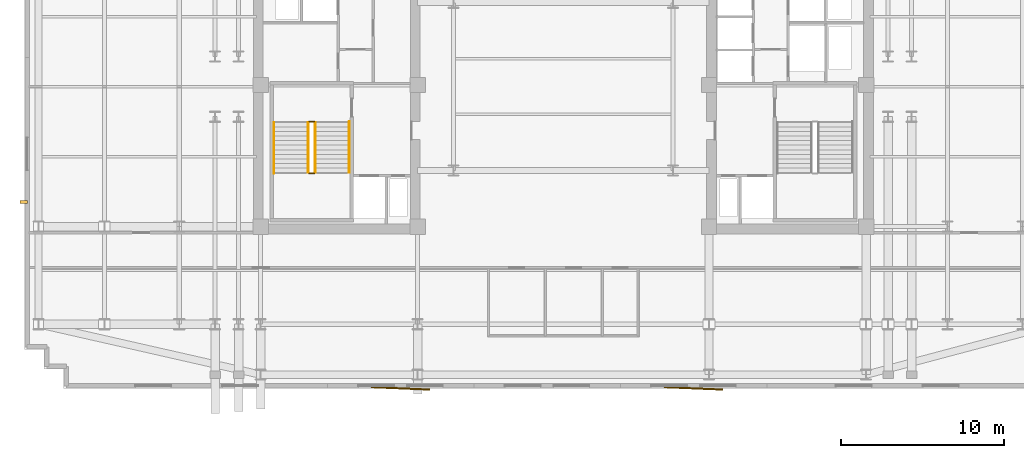
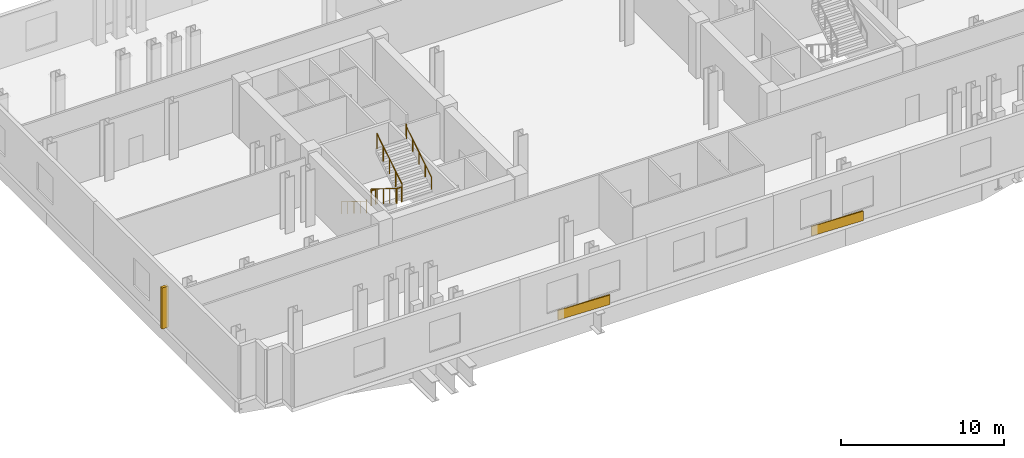
# One storey, part 10 of 14: 6 railings, 2 coverings, 1 shading device.
"""IFC4 building model written with IfcOpenShell, lengths in metres."""

from ifc_helpers import new_model, si_unit, direction, frame, origin, origin_2d, place, context, subcontext, project, spatial, rectangle, circle, extrude, material, layer, layer_set, type_object, element, save


model = new_model("IFC4")

# Units and contexts
model_context = context("Model", 3, precision=1e-05, world=origin(), true_north=direction((0.0, 1.0)))
body_context = subcontext(model_context, "Body", "Model", "MODEL_VIEW")
ifc_project = project(units=[si_unit("LENGTHUNIT", "METRE"), si_unit("AREAUNIT", "SQUARE_METRE"), si_unit("VOLUMEUNIT", "CUBIC_METRE"), si_unit("PLANEANGLEUNIT", "RADIAN"), si_unit("MASSUNIT", "GRAM", prefix="KILO")], contexts=[model_context])

# Site, building, storey
site_placement = place(None, origin())
site = spatial("IfcSite", under=ifc_project, at=site_placement, CompositionType="ELEMENT")
building_placement = place(site_placement, origin())
building = spatial("IfcBuilding", under=site, at=building_placement, Name="Velakula Bourse", CompositionType="ELEMENT")
storey_placement = place(building_placement, frame((0.0, 0.0, 116.64990234375)))
storey = spatial("IfcBuildingStorey", under=building, at=storey_placement, Name="L31", CompositionType="ELEMENT", Elevation=116.64990234375)

# Coverings
ifc_material_1 = material(Name="Red kilned clay facing brick masonry", Category="masonry")
ifc_layer = layer(ifc_material_1, 0.090087890625, Name="Red kilned clay facing brick masonry", Category="masonry")
ifc_layer_set = layer_set([ifc_layer], Name="Red kilned clay facing brick masonry")
covering_type = type_object("IfcCoveringType", Name="COV-BRK-FOLD-90", PredefinedType="CLADDING", material=ifc_layer_set)
for number, where, z_axis, x_axis, name in (
    (1, (-10.0, -18.5400390625, 0.0), (0.0, 0.0, 1.0), (0.999158993058, -0.041003738744, 0.0), "L31 Folded Brick Facade Cladding Panel S-B2"),
    (2, (8.0, -18.5400390625, 0.0), (0.0, 0.0, 1.0), (0.999158993058, -0.041003738744, 0.0), "L31 Folded Brick Facade Cladding Panel S-B4"),
):
    element("IfcCovering", number, at=place(storey_placement, frame(where, z_axis=z_axis, x_axis=x_axis)), inside=storey, type_object=covering_type, Name=name, PredefinedType="CLADDING", context=body_context, shape_type="SweptSolid", body=[
        extrude(rectangle(XDim=3.60009765625, YDim=0.090087890625, at=origin_2d()), origin(), (0.0, 0.0, 1.0), 0.719970703125),
    ])

# Railings
ifc_material_2 = material(Name="Brushed grade 316 stainless steel", Category="steel")
railing_type_1 = type_object("IfcRailingType", Name="RLG-STAIR-GUARD-1150", PredefinedType="BALUSTRADE", material=ifc_material_2)
railing_1_placement = place(storey_placement, frame((-15.672119140625, -2.199951171875, 0.175048828125)))
element("IfcRailing", 3, at=railing_1_placement, inside=storey, type_object=railing_type_1, Name="L31 ST-W1 stair guard 1", PredefinedType="BALUSTRADE", context=body_context, shape_type="SweptSolid", body=[
    extrude(circle(Radius=0.02490234375, at=origin_2d()), frame((0.0, 0.0, 1.125), z_axis=(0.0, -0.847998304005, 0.529998940003), x_axis=(1.0, 0.0, 0.0)), (0.0, 0.0, 1.0), 3.632080078125),
    extrude(circle(Radius=0.02099609375, at=origin_2d()), origin(), (0.0, 0.0, 1.0), 1.099853515625),
    extrude(circle(Radius=0.02099609375, at=origin_2d()), frame((0.0, -0.77001953125, 0.481201171875)), (0.0, 0.0, 1.0), 1.099853515625),
    extrude(circle(Radius=0.02099609375, at=origin_2d()), frame((0.0, -1.5400390625, 0.96240234375)), (0.0, 0.0, 1.0), 1.099853515625),
    extrude(circle(Radius=0.02099609375, at=origin_2d()), frame((0.0, -2.31005859375, 1.44384765625)), (0.0, 0.0, 1.0), 1.099853515625),
    extrude(circle(Radius=0.02099609375, at=origin_2d()), frame((0.0, -3.080078125, 1.925048828125)), (0.0, 0.0, 1.0), 1.099853515625),
])
railing_2_placement = place(storey_placement, frame((-15.6220703125, -5.330078125, 2.10009765625)))
element("IfcRailing", 4, at=railing_2_placement, inside=storey, type_object=railing_type_1, Name="L31 ST-W1 stair guard 2", PredefinedType="BALUSTRADE", context=body_context, shape_type="SweptSolid", body=[
    extrude(circle(Radius=0.02490234375, at=origin_2d()), frame((0.0, 0.0, 1.125), z_axis=(1.0, 0.0, 0.0), x_axis=(0.0, 1.0, 0.0)), (0.0, 0.0, 1.0), 0.323974609375),
    extrude(circle(Radius=0.02099609375, at=origin_2d()), origin(), (0.0, 0.0, 1.0), 1.099853515625),
    extrude(circle(Radius=0.02099609375, at=origin_2d()), frame((0.323974609375, 0.0, 0.0)), (0.0, 0.0, 1.0), 1.099853515625),
])
railing_3_placement = place(storey_placement, frame((-15.248046875, -5.280029296875, 2.275146484375)))
element("IfcRailing", 5, at=railing_3_placement, inside=storey, type_object=railing_type_1, Name="L31 ST-W1 stair guard 3", PredefinedType="BALUSTRADE", context=body_context, shape_type="SweptSolid", body=[
    extrude(circle(Radius=0.02490234375, at=origin_2d()), frame((0.0, 0.0, 1.125), z_axis=(0.0, 0.847998304005, 0.529998940003), x_axis=(-1.0, 0.0, 0.0)), (0.0, 0.0, 1.0), 3.632080078125),
    extrude(circle(Radius=0.02099609375, at=origin_2d()), origin(), (0.0, 0.0, 1.0), 1.099853515625),
    extrude(circle(Radius=0.02099609375, at=origin_2d()), frame((0.0, 0.77001953125, 0.481201171875)), (0.0, 0.0, 1.0), 1.099853515625),
    extrude(circle(Radius=0.02099609375, at=origin_2d()), frame((0.0, 1.5400390625, 0.96240234375)), (0.0, 0.0, 1.0), 1.099853515625),
    extrude(circle(Radius=0.02099609375, at=origin_2d()), frame((0.0, 2.31005859375, 1.44384765625)), (0.0, 0.0, 1.0), 1.099853515625),
    extrude(circle(Radius=0.02099609375, at=origin_2d()), frame((0.0, 3.080078125, 1.925048828125)), (0.0, 0.0, 1.0), 1.099853515625),
])
railing_4_placement = place(storey_placement, frame((-15.6220703125, -2.14990234375, 0.0)))
element("IfcRailing", 6, at=railing_4_placement, inside=storey, type_object=railing_type_1, Name="L31 ST-W1 stair guard 4", PredefinedType="BALUSTRADE", context=body_context, shape_type="SweptSolid", body=[
    extrude(circle(Radius=0.02490234375, at=origin_2d()), frame((0.0, 0.0, 1.125), z_axis=(1.0, 0.0, 0.0), x_axis=(0.0, 1.0, 0.0)), (0.0, 0.0, 1.0), 0.323974609375),
    extrude(circle(Radius=0.02099609375, at=origin_2d()), origin(), (0.0, 0.0, 1.0), 1.099853515625),
    extrude(circle(Radius=0.02099609375, at=origin_2d()), frame((0.323974609375, 0.0, 0.0)), (0.0, 0.0, 1.0), 1.099853515625),
])
railing_type_2 = type_object("IfcRailingType", Name="RLG-STAIR-HAND-920", PredefinedType="HANDRAIL", material=ifc_material_2)
railing_5_placement = place(storey_placement, frame((-17.77001953125, -2.199951171875, 0.175048828125)))
element("IfcRailing", 7, at=railing_5_placement, inside=storey, type_object=railing_type_2, Name="L31 ST-W1 stair handrail 1", PredefinedType="HANDRAIL", context=body_context, shape_type="SweptSolid", body=[
    extrude(circle(Radius=0.02099609375, at=origin_2d()), frame((0.0, 0.0, 0.89892578125), z_axis=(0.0, -0.847998304005, 0.529998940003), x_axis=(1.0, 0.0, 0.0)), (0.0, 0.0, 1.0), 3.632080078125),
    extrude(circle(Radius=0.02099609375, at=origin_2d()), frame((0.0, -3.080078125, 2.823974609375), z_axis=(0.0, -0.222972465624, 0.974824743004), x_axis=(1.0, 0.0, 0.0)), (0.0, 0.0, 1.0), 0.1796875),
    extrude(circle(Radius=0.02099609375, at=origin_2d()), frame((0.0, -3.1201171875, 2.9990234375), z_axis=(0.0, -1.0, 0.0), x_axis=(1.0, 0.0, 0.0)), (0.0, 0.0, 1.0), 0.0048828125),
    extrude(circle(Radius=0.02099609375, at=origin_2d()), origin(), (0.0, 0.0, 1.0), 0.8779296875),
    extrude(circle(Radius=0.02099609375, at=origin_2d()), frame((0.0, -0.77001953125, 0.481201171875)), (0.0, 0.0, 1.0), 0.8779296875),
    extrude(circle(Radius=0.02099609375, at=origin_2d()), frame((0.0, -1.5400390625, 0.96240234375)), (0.0, 0.0, 1.0), 0.8779296875),
    extrude(circle(Radius=0.02099609375, at=origin_2d()), frame((0.0, -2.31005859375, 1.44384765625)), (0.0, 0.0, 1.0), 0.8779296875),
    extrude(circle(Radius=0.02099609375, at=origin_2d()), frame((0.0, -3.080078125, 1.925048828125)), (0.0, 0.0, 1.0), 0.8779296875),
    extrude(circle(Radius=0.02099609375, at=origin_2d()), frame((0.0, -3.1201171875, 2.10009765625)), (0.0, 0.0, 1.0), 0.8779296875),
    extrude(circle(Radius=0.02099609375, at=origin_2d()), frame((0.0, -3.125, 2.10009765625)), (0.0, 0.0, 1.0), 0.8779296875),
])
railing_6_placement = place(storey_placement, frame((-13.14990234375, -5.280029296875, 2.275146484375)))
element("IfcRailing", 8, at=railing_6_placement, inside=storey, type_object=railing_type_2, Name="L31 ST-W1 stair handrail 2", PredefinedType="HANDRAIL", context=body_context, shape_type="SweptSolid", body=[
    extrude(circle(Radius=0.02099609375, at=origin_2d()), frame((0.0, 0.0, 0.89892578125), z_axis=(0.0, 0.847998304005, 0.529998940003), x_axis=(-1.0, 0.0, 0.0)), (0.0, 0.0, 1.0), 3.632080078125),
    extrude(circle(Radius=0.02099609375, at=origin_2d()), frame((0.0, 3.080078125, 2.823974609375), z_axis=(0.0, 0.223268366363, 0.974757014123), x_axis=(-1.0, 0.0, 0.0)), (0.0, 0.0, 1.0), 0.179443359375),
    extrude(circle(Radius=0.02099609375, at=origin_2d()), frame((0.0, 3.1201171875, 2.998779296875), z_axis=(0.0, 1.0, 0.0), x_axis=(-1.0, 0.0, 0.0)), (0.0, 0.0, 1.0), 0.0048828125),
    extrude(circle(Radius=0.02099609375, at=origin_2d()), origin(), (0.0, 0.0, 1.0), 0.8779296875),
    extrude(circle(Radius=0.02099609375, at=origin_2d()), frame((0.0, 0.77001953125, 0.481201171875)), (0.0, 0.0, 1.0), 0.8779296875),
    extrude(circle(Radius=0.02099609375, at=origin_2d()), frame((0.0, 1.5400390625, 0.96240234375)), (0.0, 0.0, 1.0), 0.8779296875),
    extrude(circle(Radius=0.02099609375, at=origin_2d()), frame((0.0, 2.31005859375, 1.44384765625)), (0.0, 0.0, 1.0), 0.8779296875),
    extrude(circle(Radius=0.02099609375, at=origin_2d()), frame((0.0, 3.080078125, 1.925048828125)), (0.0, 0.0, 1.0), 0.8779296875),
    extrude(circle(Radius=0.02099609375, at=origin_2d()), frame((0.0, 3.1201171875, 2.099853515625)), (0.0, 0.0, 1.0), 0.8779296875),
    extrude(circle(Radius=0.02099609375, at=origin_2d()), frame((0.0, 3.125, 2.099853515625)), (0.0, 0.0, 1.0), 0.8779296875),
])

# Shading device
ifc_material_3 = material(Name="Anodised bronze architectural aluminium", Category="aluminium")
shading_device_type = type_object("IfcShadingDeviceType", Name="SHD-FIN-450", PredefinedType="USERDEFINED", material=ifc_material_3)
shading_device_placement = place(storey_placement, frame((-33.159912109375, -7.094970703125, 0.0), z_axis=(0.0, 0.0, 1.0), x_axis=(1.0, 0.0, 0.0)))
element("IfcShadingDevice", 9, at=shading_device_placement, inside=storey, type_object=shading_device_type, Name="L31 Vertical Bronze Solar Shading Fin W", ObjectType="FIN", PredefinedType="USERDEFINED", context=body_context, shape_type="SweptSolid", body=[
    extrude(rectangle(XDim=0.449951171875, YDim=0.179931640625, at=origin_2d()), origin(), (0.0, 0.0, 1.0), 3.10009765625),
])

save(model, "model.ifc")
